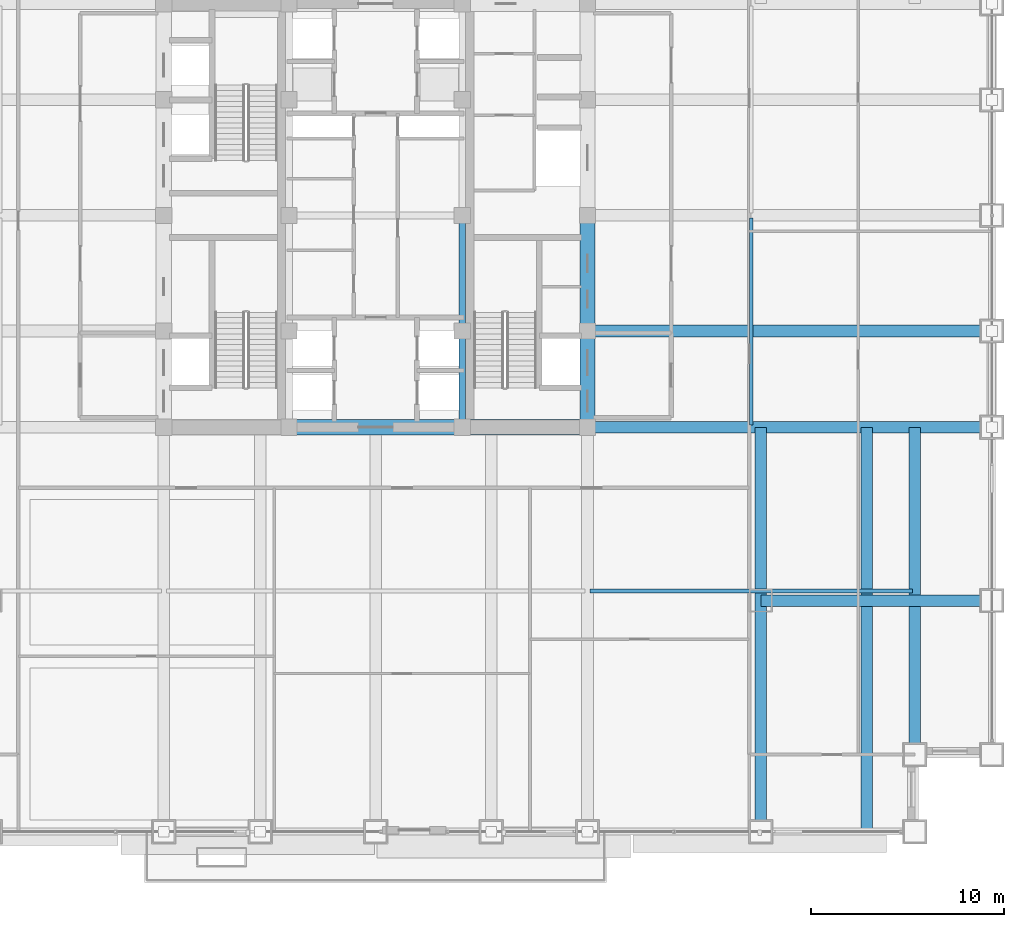
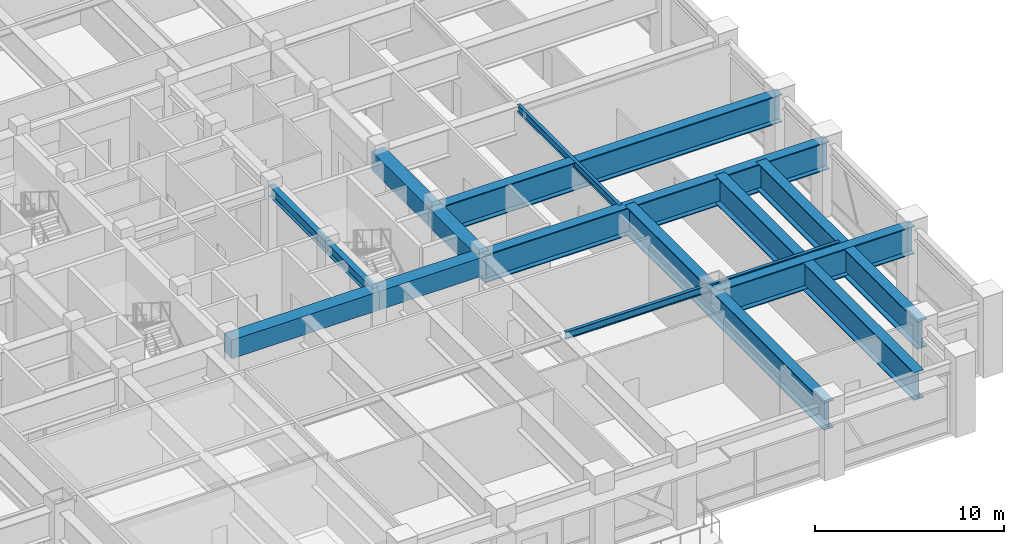
# One storey, part 9 of 34: 14 beams.
"""IFC4 building model written with IfcOpenShell, lengths in metres."""

from ifc_helpers import new_model, si_unit, direction, frame, origin, origin_2d, place, context, subcontext, project, spatial, rectangle, i_section, extrude, source, transform, mapped, material, material_profile, profile_set, type_object, element, save


model = new_model("IFC4")

# Units and contexts
model_context = context("Model", 3, precision=1e-05, world=origin(), true_north=direction((0.0, 1.0)))
body_context = subcontext(model_context, "Body", "Model", "MODEL_VIEW")
ifc_project = project(units=[si_unit("LENGTHUNIT", "METRE"), si_unit("AREAUNIT", "SQUARE_METRE"), si_unit("VOLUMEUNIT", "CUBIC_METRE"), si_unit("PLANEANGLEUNIT", "RADIAN"), si_unit("MASSUNIT", "GRAM", prefix="KILO")], contexts=[model_context])

# Site, building, storey
site_placement = place(None, origin())
site = spatial("IfcSite", under=ifc_project, at=site_placement, CompositionType="ELEMENT")
building_placement = place(site_placement, origin())
building = spatial("IfcBuilding", under=site, at=building_placement, Name="Khorayat Bourse Tower", CompositionType="ELEMENT")
storey_placement = place(building_placement, frame((0.0, 0.0, 144.699951171875)))
storey = spatial("IfcBuildingStorey", under=building, at=storey_placement, Name="L33", CompositionType="ELEMENT", Elevation=144.699951171875)

# Beams
ifc_material_1 = material(Name="Concrete C72/90", Category="concrete")
ifc_material_profile_1 = material_profile(ifc_material_1, rectangle(XDim=0.800048828125, YDim=1.199951171875, at=origin_2d()), Name="RC 800x1200")
ifc_profile_set_1 = profile_set([ifc_material_profile_1], Name="Concrete C72/90")
beam_type_1 = type_object("IfcBeamType", Name="BM-COUP-1200", PredefinedType="BEAM", material=ifc_profile_set_1)
shared_shape_1 = source(origin(), body_context, "Body", "SweptSolid", [
    extrude(rectangle(XDim=0.800048828125, YDim=1.199951171875, at=origin_2d()), origin(), (0.0, 0.0, 1.0), 5.0),
])
beam_1_placement = place(storey_placement, frame((11.0, -11.0, 4.0), z_axis=(0.0, 1.0, 0.0), x_axis=(-1.0, 0.0, 0.0)))
element("IfcBeam", 1, at=beam_1_placement, inside=storey, type_object=beam_type_1, Name="L33 BM-COUP-1200 BM-L33-CRX-13", PredefinedType="BEAM", context=body_context, shape_type="MappedRepresentation", body=[
    mapped(shared_shape_1, transform((0.0, 0.0, 0.0), scale=1.0)),
])
shared_shape_2 = source(origin(), body_context, "Body", "SweptSolid", [
    extrude(rectangle(XDim=0.800048828125, YDim=1.199951171875, at=origin_2d()), origin(), (0.0, 0.0, 1.0), 6.0),
])
beam_2_placement = place(storey_placement, frame((11.0, -6.0, 4.0), z_axis=(0.0, 1.0, 0.0), x_axis=(-1.0, 0.0, 0.0)))
element("IfcBeam", 2, at=beam_2_placement, inside=storey, type_object=beam_type_1, Name="L33 BM-COUP-1200 BM-L33-CRX-14", PredefinedType="BEAM", context=body_context, shape_type="MappedRepresentation", body=[
    mapped(shared_shape_2, transform((0.0, 0.0, 0.0), scale=1.0)),
])
ifc_material_2 = material(Name="Steel ASTM A992 Grade 50", Category="steel")
ifc_material_profile_2 = material_profile(ifc_material_2, i_section(OverallWidth=0.35498046875, OverallDepth=0.695068359375, WebThickness=0.015380859375, FlangeThickness=0.02490234375, FilletRadius=0.01806640625, at=origin_2d()), Name="W690X217")
ifc_profile_set_2 = profile_set([ifc_material_profile_2], Name="Steel ASTM A992 Grade 50")
beam_type_2 = type_object("IfcBeamType", Name="BM-GIRD-690", PredefinedType="BEAM", material=ifc_profile_set_2)
shared_shape_3 = source(origin(), body_context, "Body", "SweptSolid", [
    extrude(i_section(OverallWidth=0.35498046875, OverallDepth=0.695068359375, WebThickness=0.015380859375, FlangeThickness=0.02490234375, FilletRadius=0.01806640625, at=origin_2d()), origin(), (0.0, 0.0, 1.0), 5.0),
])
beam_3_placement = place(storey_placement, frame((4.5, -11.0, 4.25244140625), z_axis=(0.0, 1.0, 0.0), x_axis=(-1.0, 0.0, 0.0)))
element("IfcBeam", 3, at=beam_3_placement, inside=storey, type_object=beam_type_2, Name="L33 BM-GIRD-690 BM-L33-CRX-09", PredefinedType="BEAM", context=body_context, shape_type="MappedRepresentation", body=[
    mapped(shared_shape_3, transform((0.0, 0.0, 0.0), scale=1.0)),
])
shared_shape_4 = source(origin(), body_context, "Body", "SweptSolid", [
    extrude(i_section(OverallWidth=0.35498046875, OverallDepth=0.695068359375, WebThickness=0.015380859375, FlangeThickness=0.02490234375, FilletRadius=0.01806640625, at=origin_2d()), origin(), (0.0, 0.0, 1.0), 6.0),
])
beam_4_placement = place(storey_placement, frame((4.5, -6.0, 4.25244140625), z_axis=(0.0, 1.0, 0.0), x_axis=(-1.0, 0.0, 0.0)))
element("IfcBeam", 4, at=beam_4_placement, inside=storey, type_object=beam_type_2, Name="L33 BM-GIRD-690 BM-L33-CRX-10", PredefinedType="BEAM", context=body_context, shape_type="MappedRepresentation", body=[
    mapped(shared_shape_4, transform((0.0, 0.0, 0.0), scale=1.0)),
])
shared_shape_5 = source(origin(), body_context, "Body", "SweptSolid", [
    extrude(rectangle(XDim=0.800048828125, YDim=1.199951171875, at=origin_2d()), origin(), (0.0, 0.0, 1.0), 6.5),
])
beam_5_placement = place(storey_placement, frame((4.5, -11.0, 4.0), z_axis=(1.0, 0.0, 0.0), x_axis=(0.0, 1.0, 0.0)))
element("IfcBeam", 5, at=beam_5_placement, inside=storey, type_object=beam_type_1, Name="L33 BM-COUP-1200 BM-L33-CRY-19", PredefinedType="BEAM", context=body_context, shape_type="MappedRepresentation", body=[
    mapped(shared_shape_5, transform((0.0, 0.0, 0.0), scale=1.0)),
])
shared_shape_6 = source(origin(), body_context, "Body", "SweptSolid", [
    extrude(rectangle(XDim=0.800048828125, YDim=1.199951171875, at=origin_2d()), origin(), (0.0, 0.0, 1.0), 9.0),
])
beam_6_placement = place(storey_placement, frame((-4.5, -11.0, 4.0), z_axis=(1.0, 0.0, 0.0), x_axis=(0.0, 1.0, 0.0)))
element("IfcBeam", 6, at=beam_6_placement, inside=storey, type_object=beam_type_1, Name="L33 BM-COUP-1200 BM-L33-CRY-18", PredefinedType="BEAM", context=body_context, shape_type="MappedRepresentation", body=[
    mapped(shared_shape_6, transform((0.0, 0.0, 0.0), scale=1.0)),
])
ifc_material_3 = material(Name="Steel EN 10025-4 S460M", Category="steel")
ifc_material_profile_3 = material_profile(ifc_material_3, i_section(OverallWidth=0.60009765625, OverallDepth=1.800048828125, WebThickness=0.031982421875, FlangeThickness=0.06005859375, at=origin_2d()), Name="PG 1800x600x32x60")
ifc_profile_set_3 = profile_set([ifc_material_profile_3], Name="Steel EN 10025-4 S460M")
beam_type_3 = type_object("IfcBeamType", Name="BM-TR-1800", PredefinedType="BEAM", material=ifc_profile_set_3)
shared_shape_7 = source(origin(), body_context, "Body", "SweptSolid", [
    extrude(i_section(OverallWidth=0.60009765625, OverallDepth=1.800048828125, WebThickness=0.031982421875, FlangeThickness=0.06005859375, at=origin_2d()), origin(), (0.0, 0.0, 1.0), 12.0),
])
beam_7_placement = place(storey_placement, frame((20.0, -20.0, 3.699951171875), z_axis=(1.0, 0.0, 0.0), x_axis=(0.0, 1.0, 0.0)))
element("IfcBeam", 7, at=beam_7_placement, inside=storey, type_object=beam_type_3, Name="L33 BM-TR-1800 BM-L33-CNRX-096", PredefinedType="BEAM", context=body_context, shape_type="MappedRepresentation", body=[
    mapped(shared_shape_7, transform((0.0, 0.0, 0.0), scale=1.0)),
])
ifc_material_profile_4 = material_profile(ifc_material_2, i_section(OverallWidth=0.194091796875, OverallDepth=0.468994140625, WebThickness=0.0126953125, FlangeThickness=0.0205078125, FilletRadius=0.012939453125, at=origin_2d()), Name="W460X106")
ifc_profile_set_4 = profile_set([ifc_material_profile_4], Name="Steel ASTM A992 Grade 50")
beam_type_4 = type_object("IfcBeamType", Name="BM-JOIST-460", PredefinedType="JOIST", material=ifc_profile_set_4)
shared_shape_8 = source(origin(), body_context, "Body", "SweptSolid", [
    extrude(i_section(OverallWidth=0.194091796875, OverallDepth=0.468994140625, WebThickness=0.0126953125, FlangeThickness=0.0205078125, FilletRadius=0.012939453125, at=origin_2d()), origin(), (0.0, 0.0, 1.0), 10.740234375),
])
beam_8_placement = place(storey_placement, frame((19.5, -10.8701171875, 4.365478515625), z_axis=(0.0, 1.0, 0.0), x_axis=(-1.0, 0.0, 0.0)))
element("IfcBeam", 8, at=beam_8_placement, inside=storey, type_object=beam_type_4, Name="L33 BM-JOIST-460 BM-L33-JSTY-112", PredefinedType="JOIST", context=body_context, shape_type="MappedRepresentation", body=[
    mapped(shared_shape_8, transform((0.0, 0.0, 0.0), scale=1.0)),
])
shared_shape_9 = source(origin(), body_context, "Body", "SweptSolid", [
    extrude(i_section(OverallWidth=0.194091796875, OverallDepth=0.468994140625, WebThickness=0.0126953125, FlangeThickness=0.0205078125, FilletRadius=0.012939453125, at=origin_2d()), origin(), (0.0, 0.0, 1.0), 16.740234375),
])
beam_9_placement = place(storey_placement, frame((11.1298828125, -19.5, 4.365478515625), z_axis=(1.0, 0.0, 0.0), x_axis=(0.0, 1.0, 0.0)))
element("IfcBeam", 9, at=beam_9_placement, inside=storey, type_object=beam_type_4, Name="L33 BM-JOIST-460 BM-L33-JSTX-106", PredefinedType="JOIST", context=body_context, shape_type="MappedRepresentation", body=[
    mapped(shared_shape_9, transform((0.0, 0.0, 0.0), scale=1.0)),
])
shared_shape_10 = source(origin(), body_context, "Body", "SweptSolid", [
    extrude(i_section(OverallWidth=0.60009765625, OverallDepth=1.800048828125, WebThickness=0.031982421875, FlangeThickness=0.06005859375, at=origin_2d()), origin(), (0.0, 0.0, 1.0), 21.0),
])
for number, where, z_axis, x_axis, name in (
    (10, (11.0, -11.0, 3.699951171875), (1.0, 0.0, 0.0), (0.0, 1.0, 0.0), "L33 BM-TR-1800 BM-L33-RADX-074"),
    (11, (11.0, -6.0, 3.699951171875), (1.0, 0.0, 0.0), (0.0, 1.0, 0.0), "L33 BM-TR-1800 BM-L33-RADX-076"),
    (12, (20.0, -32.0, 3.699951171875), (0.0, 1.0, 0.0), (-1.0, 0.0, 0.0), "L33 BM-TR-1800 BM-L33-CNRY-086"),
    (13, (25.5, -32.0, 3.699951171875), (0.0, 1.0, 0.0), (-1.0, 0.0, 0.0), "L33 BM-TR-1800 BM-L33-CNRY-090"),
):
    element("IfcBeam", number, at=place(storey_placement, frame(where, z_axis=z_axis, x_axis=x_axis)), inside=storey, type_object=beam_type_3, Name=name, PredefinedType="BEAM", context=body_context, shape_type="MappedRepresentation", body=[
        mapped(shared_shape_10, transform((0.0, 0.0, 0.0), scale=1.0)),
    ])
shared_shape_11 = source(origin(), body_context, "Body", "SweptSolid", [
    extrude(i_section(OverallWidth=0.60009765625, OverallDepth=1.800048828125, WebThickness=0.031982421875, FlangeThickness=0.06005859375, at=origin_2d()), origin(), (0.0, 0.0, 1.0), 17.0),
])
beam_10_placement = place(storey_placement, frame((28.0, -28.0, 3.699951171875), z_axis=(0.0, 1.0, 0.0), x_axis=(-1.0, 0.0, 0.0)))
element("IfcBeam", 14, at=beam_10_placement, inside=storey, type_object=beam_type_3, Name="L33 BM-TR-1800 BM-L33-CNRY-094", PredefinedType="BEAM", context=body_context, shape_type="MappedRepresentation", body=[
    mapped(shared_shape_11, transform((0.0, 0.0, 0.0), scale=1.0)),
])

save(model, "model.ifc")
